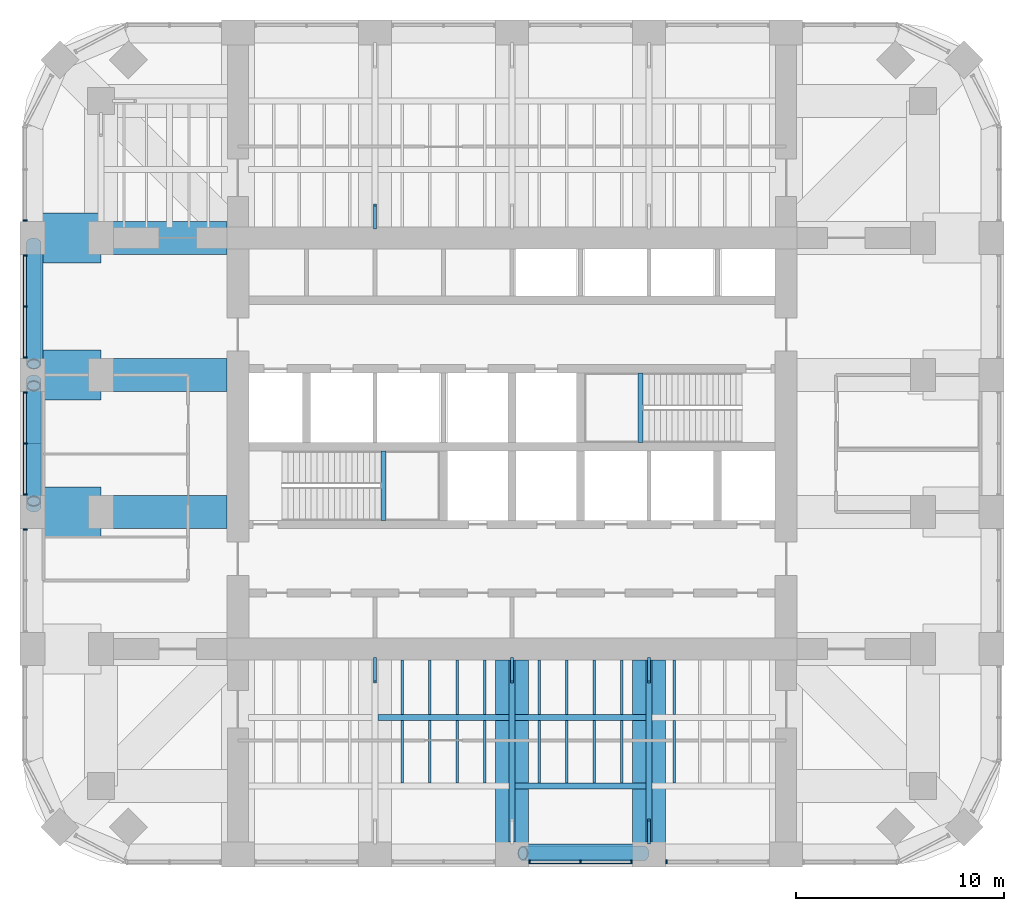
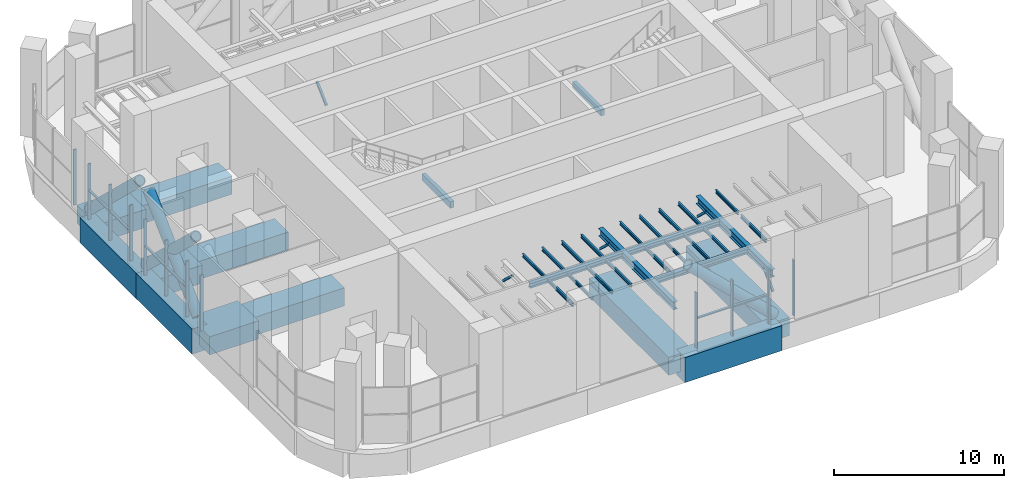
# One storey, part 3 of 15: 36 beams, 27 members, 6 elements without a shape of their own.
"""IFC4 building model written with IfcOpenShell, lengths in metres."""

from ifc_helpers import new_model, si_unit, direction, frame, origin, origin_2d, place, context, subcontext, project, spatial, rectangle, hollow_rectangle, hollow_circle, i_section, extrude, material, material_profile, profile_set, type_object, element, aggregate, save


model = new_model("IFC4")

# Units and contexts
model_context = context("Model", 3, precision=1e-05, world=origin(), true_north=direction((0.0, 1.0)))
body_context = subcontext(model_context, "Body", "Model", "MODEL_VIEW")
ifc_project = project(units=[si_unit("LENGTHUNIT", "METRE"), si_unit("AREAUNIT", "SQUARE_METRE"), si_unit("VOLUMEUNIT", "CUBIC_METRE"), si_unit("PLANEANGLEUNIT", "RADIAN"), si_unit("MASSUNIT", "GRAM", prefix="KILO")], contexts=[model_context])

# Site, building, storey
site_placement = place(None, origin())
site = spatial("IfcSite", under=ifc_project, at=site_placement, CompositionType="ELEMENT")
building_placement = place(site_placement, origin())
building = spatial("IfcBuilding", under=site, at=building_placement, Name="Cobogo Forest Laboratory Tower", CompositionType="ELEMENT")
storey_placement = place(building_placement, frame((0.0, 0.0, 222.89990234375)))
storey = spatial("IfcBuildingStorey", under=building, at=storey_placement, Name="L51", CompositionType="ELEMENT", Elevation=222.89990234375)

# Members
ifc_material_1 = material(Name="Steel S460NH", Category="steel")
ifc_material_profile_1 = material_profile(ifc_material_1, hollow_circle(Radius=0.35546875, WallThickness=0.06005859375, at=origin_2d()), Name="CHS 711x60")
ifc_profile_set_1 = profile_set([ifc_material_profile_1], Name="Steel S460NH")
member_type_1 = type_object("IfcMemberType", Name="Belt truss diagonal CHS 711x60", PredefinedType="BRACE", material=ifc_profile_set_1)
for number, where, z_axis, x_axis, name in (
    (1, (32.75, 3.360107421875, 0.23876953125), (-0.723363796511, 0.0, 0.690467101242), (0.0, -1.0, 0.0), "BT1 belt truss diagonal S03 L51"),
    (2, (3.360107421875, 20.050048828125, 0.23876953125), (0.0, 0.723349354665, 0.69048223084), (-1.0, 0.0, 0.0), "BT1 belt truss diagonal W14 L51"),
    (3, (3.360107421875, 26.14990234375, 0.23876953125), (0.0, -0.723349354665, 0.69048223084), (1.0, 0.0, 0.0), "BT1 belt truss diagonal W15 L51"),
    (4, (3.360107421875, 32.75, 0.23876953125), (0.0, -0.723363796511, 0.690467101242), (1.0, 0.0, 0.0), "BT1 belt truss diagonal W16 L51"),
):
    element("IfcMember", number, at=place(storey_placement, frame(where, z_axis=z_axis, x_axis=x_axis)), inside=storey, type_object=member_type_1, Name=name, PredefinedType="BRACE", context=body_context, shape_type="SweptSolid", body=[
        extrude(hollow_circle(Radius=0.35546875, WallThickness=0.06005859375, at=origin_2d()), origin(), (0.0, 0.0, 1.0), 8.0595703125),
    ])

# Beams
ifc_material_2 = material(Name="Concrete HA-40 (C40/50)", Category="concrete")
ifc_material_profile_2 = material_profile(ifc_material_2, rectangle(XDim=0.25, YDim=0.449951171875, at=origin_2d()), Name="RC 250x450")
ifc_profile_set_2 = profile_set([ifc_material_profile_2], Name="Concrete HA-40 (C40/50)")
beam_type_1 = type_object("IfcBeamType", Name="LB1 landing beam 250x450", PredefinedType="BEAM", material=ifc_profile_set_2)
for number, where, z_axis, x_axis, name in (
    (5, (20.2099609375, 19.39990234375, 2.72509765625), (0.0, 1.0, 0.0), (-1.0, 0.0, 0.0), "Landing beam ST1 L51"),
    (6, (32.590087890625, 23.14990234375, 2.72509765625), (0.0, 1.0, 0.0), (-1.0, 0.0, 0.0), "Landing beam ST2 L51"),
):
    element("IfcBeam", number, at=place(storey_placement, frame(where, z_axis=z_axis, x_axis=x_axis)), inside=storey, type_object=beam_type_1, Name=name, PredefinedType="BEAM", context=body_context, shape_type="SweptSolid", body=[
        extrude(rectangle(XDim=0.25, YDim=0.449951171875, at=origin_2d()), origin(), (0.0, 0.0, 1.0), 3.35009765625),
    ])

# Curtain wall, members
ifc_material_3 = material(Name="Aluminium curtain wall", Category="aluminium")
curtain_wall_type = type_object("IfcCurtainWallType", Name="CW-P louvred curtain wall, plant floors", PredefinedType="USERDEFINED", material=ifc_material_3)
curtain_wall_1_placement = place(storey_placement, origin())
curtain_wall_1 = element("IfcCurtainWall", 7, at=curtain_wall_1_placement, inside=storey, type_object=curtain_wall_type, Name="Curtain wall 04 L51", ObjectType="LOUVRED CURTAIN WALL", PredefinedType="USERDEFINED")
ifc_material_4 = material(Name="Aluminium mullion", Category="aluminium")
ifc_material_profile_3 = material_profile(ifc_material_4, rectangle(XDim=0.080078125, YDim=0.199951171875, at=origin_2d()), Name="AL 80x200")
ifc_profile_set_3 = profile_set([ifc_material_profile_3], Name="Aluminium mullion")
member_type_2 = type_object("IfcMemberType", Name="MU-3 aluminium louvre mullion 80x200", PredefinedType="MULLION", material=ifc_profile_set_3)
member_1_placement = place(storey_placement, frame((27.239990234375, 2.949951171875, 0.0), z_axis=(0.0, 0.0, 1.0), x_axis=(1.0, 0.0, 0.0)))
member_1 = element("IfcMember", 8, at=member_1_placement, type_object=member_type_2, Name="CW-P mullion 1", PredefinedType="MULLION", context=body_context, shape_type="SweptSolid", body=[
    extrude(rectangle(XDim=0.080078125, YDim=0.199951171875, at=origin_2d()), origin(), (0.0, 0.0, 1.0), 4.0),
])
member_2_placement = place(storey_placement, frame((29.699951171875, 2.949951171875, 0.0), z_axis=(0.0, 0.0, 1.0), x_axis=(1.0, 0.0, 0.0)))
member_2 = element("IfcMember", 9, at=member_2_placement, type_object=member_type_2, Name="CW-P mullion 2", PredefinedType="MULLION", context=body_context, shape_type="SweptSolid", body=[
    extrude(rectangle(XDim=0.080078125, YDim=0.199951171875, at=origin_2d()), origin(), (0.0, 0.0, 1.0), 4.0),
])
member_3_placement = place(storey_placement, frame((32.159912109375, 2.949951171875, 0.0), z_axis=(0.0, 0.0, 1.0), x_axis=(1.0, 0.0, 0.0)))
member_3 = element("IfcMember", 10, at=member_3_placement, type_object=member_type_2, Name="CW-P mullion 3", PredefinedType="MULLION", context=body_context, shape_type="SweptSolid", body=[
    extrude(rectangle(XDim=0.080078125, YDim=0.199951171875, at=origin_2d()), origin(), (0.0, 0.0, 1.0), 4.0),
])

# Curtain wall, member
curtain_wall_2_placement = place(storey_placement, origin())
curtain_wall_2 = element("IfcCurtainWall", 11, at=curtain_wall_2_placement, inside=storey, type_object=curtain_wall_type, Name="Curtain wall 05 L51", ObjectType="LOUVRED CURTAIN WALL", PredefinedType="USERDEFINED")
member_4_placement = place(storey_placement, frame((33.840087890625, 2.949951171875, 0.0), z_axis=(0.0, 0.0, 1.0), x_axis=(1.0, 0.0, 0.0)))
member_4 = element("IfcMember", 12, at=member_4_placement, type_object=member_type_2, Name="CW-P mullion 1", PredefinedType="MULLION", context=body_context, shape_type="SweptSolid", body=[
    extrude(rectangle(XDim=0.080078125, YDim=0.199951171875, at=origin_2d()), origin(), (0.0, 0.0, 1.0), 4.0),
])
aggregate(curtain_wall_2, [member_4])

curtain_wall_3_placement = place(storey_placement, origin())
curtain_wall_3 = element("IfcCurtainWall", 13, at=curtain_wall_3_placement, inside=storey, type_object=curtain_wall_type, Name="Curtain wall 24 L51", ObjectType="LOUVRED CURTAIN WALL", PredefinedType="USERDEFINED")
member_5_placement = place(storey_placement, frame((2.949951171875, 33.840087890625, 0.0), z_axis=(0.0, 0.0, 1.0), x_axis=(0.0, -1.0, 0.0)))
member_5 = element("IfcMember", 14, at=member_5_placement, type_object=member_type_2, Name="CW-P mullion 3", PredefinedType="MULLION", context=body_context, shape_type="SweptSolid", body=[
    extrude(rectangle(XDim=0.080078125, YDim=0.199951171875, at=origin_2d()), origin(), (0.0, 0.0, 1.0), 4.0),
])
aggregate(curtain_wall_3, [member_5])

# Curtain wall, members
curtain_wall_4_placement = place(storey_placement, origin())
curtain_wall_4 = element("IfcCurtainWall", 15, at=curtain_wall_4_placement, inside=storey, type_object=curtain_wall_type, Name="Curtain wall 25 L51", ObjectType="LOUVRED CURTAIN WALL", PredefinedType="USERDEFINED")
member_6_placement = place(storey_placement, frame((2.949951171875, 32.159912109375, 0.0), z_axis=(0.0, 0.0, 1.0), x_axis=(0.0, -1.0, 0.0)))
member_6 = element("IfcMember", 16, at=member_6_placement, type_object=member_type_2, Name="CW-P mullion 1", PredefinedType="MULLION", context=body_context, shape_type="SweptSolid", body=[
    extrude(rectangle(XDim=0.080078125, YDim=0.199951171875, at=origin_2d()), origin(), (0.0, 0.0, 1.0), 4.0),
])
member_7_placement = place(storey_placement, frame((2.949951171875, 29.699951171875, 0.0), z_axis=(0.0, 0.0, 1.0), x_axis=(0.0, -1.0, 0.0)))
member_7 = element("IfcMember", 17, at=member_7_placement, type_object=member_type_2, Name="CW-P mullion 2", PredefinedType="MULLION", context=body_context, shape_type="SweptSolid", body=[
    extrude(rectangle(XDim=0.080078125, YDim=0.199951171875, at=origin_2d()), origin(), (0.0, 0.0, 1.0), 4.0),
])
member_8_placement = place(storey_placement, frame((2.949951171875, 27.239990234375, 0.0), z_axis=(0.0, 0.0, 1.0), x_axis=(0.0, -1.0, 0.0)))
member_8 = element("IfcMember", 18, at=member_8_placement, type_object=member_type_2, Name="CW-P mullion 3", PredefinedType="MULLION", context=body_context, shape_type="SweptSolid", body=[
    extrude(rectangle(XDim=0.080078125, YDim=0.199951171875, at=origin_2d()), origin(), (0.0, 0.0, 1.0), 4.0),
])

curtain_wall_5_placement = place(storey_placement, origin())
curtain_wall_5 = element("IfcCurtainWall", 19, at=curtain_wall_5_placement, inside=storey, type_object=curtain_wall_type, Name="Curtain wall 26 L51", ObjectType="LOUVRED CURTAIN WALL", PredefinedType="USERDEFINED")
member_9_placement = place(storey_placement, frame((2.949951171875, 25.56005859375, 0.0), z_axis=(0.0, 0.0, 1.0), x_axis=(0.0, -1.0, 0.0)))
member_9 = element("IfcMember", 20, at=member_9_placement, type_object=member_type_2, Name="CW-P mullion 1", PredefinedType="MULLION", context=body_context, shape_type="SweptSolid", body=[
    extrude(rectangle(XDim=0.080078125, YDim=0.199951171875, at=origin_2d()), origin(), (0.0, 0.0, 1.0), 4.0),
])
member_10_placement = place(storey_placement, frame((2.949951171875, 23.10009765625, 0.0), z_axis=(0.0, 0.0, 1.0), x_axis=(0.0, -1.0, 0.0)))
member_10 = element("IfcMember", 21, at=member_10_placement, type_object=member_type_2, Name="CW-P mullion 2", PredefinedType="MULLION", context=body_context, shape_type="SweptSolid", body=[
    extrude(rectangle(XDim=0.080078125, YDim=0.199951171875, at=origin_2d()), origin(), (0.0, 0.0, 1.0), 4.0),
])
member_11_placement = place(storey_placement, frame((2.949951171875, 20.639892578125, 0.0), z_axis=(0.0, 0.0, 1.0), x_axis=(0.0, -1.0, 0.0)))
member_11 = element("IfcMember", 22, at=member_11_placement, type_object=member_type_2, Name="CW-P mullion 3", PredefinedType="MULLION", context=body_context, shape_type="SweptSolid", body=[
    extrude(rectangle(XDim=0.080078125, YDim=0.199951171875, at=origin_2d()), origin(), (0.0, 0.0, 1.0), 4.0),
])

# Curtain wall, member
curtain_wall_6_placement = place(storey_placement, origin())
curtain_wall_6 = element("IfcCurtainWall", 23, at=curtain_wall_6_placement, inside=storey, type_object=curtain_wall_type, Name="Curtain wall 27 L51", ObjectType="LOUVRED CURTAIN WALL", PredefinedType="USERDEFINED")
member_12_placement = place(storey_placement, frame((2.949951171875, 18.9599609375, 0.0), z_axis=(0.0, 0.0, 1.0), x_axis=(0.0, -1.0, 0.0)))
member_12 = element("IfcMember", 24, at=member_12_placement, type_object=member_type_2, Name="CW-P mullion 1", PredefinedType="MULLION", context=body_context, shape_type="SweptSolid", body=[
    extrude(rectangle(XDim=0.080078125, YDim=0.199951171875, at=origin_2d()), origin(), (0.0, 0.0, 1.0), 4.0),
])
aggregate(curtain_wall_6, [member_12])

# Beams
ifc_material_profile_4 = material_profile(ifc_material_2, rectangle(XDim=1.60009765625, YDim=1.300048828125, at=origin_2d()), Name="RC 1600x1300")
ifc_profile_set_4 = profile_set([ifc_material_profile_4], Name="Concrete HA-40 (C40/50)")
beam_type_2 = type_object("IfcBeamType", Name="Plant and roof garden wide beam 1600x1300", PredefinedType="BEAM", material=ifc_profile_set_4)
for number, where, z_axis, x_axis, name in (
    (25, (26.39990234375, 12.675048828125, -1.0), (0.0, -1.0, 0.0), (1.0, 0.0, 0.0), "RB4 R-5-S L51"),
    (26, (33.0, 12.675048828125, -1.0), (0.0, -1.0, 0.0), (1.0, 0.0, 0.0), "RB4 R-6-S L51"),
):
    element("IfcBeam", number, at=place(storey_placement, frame(where, z_axis=z_axis, x_axis=x_axis)), inside=storey, type_object=beam_type_2, Name=name, PredefinedType="BEAM", context=body_context, shape_type="SweptSolid", body=[
        extrude(rectangle(XDim=1.60009765625, YDim=1.300048828125, at=origin_2d()), origin(), (0.0, 0.0, 1.0), 9.375),
    ])
for number, where, z_axis, x_axis, name in (
    (27, (12.675048828125, 19.800048828125, -1.0), (-1.0, 0.0, 0.0), (0.0, -1.0, 0.0), "RB4 R-D-W L51"),
    (28, (12.675048828125, 26.39990234375, -1.0), (-1.0, 0.0, 0.0), (0.0, -1.0, 0.0), "RB4 R-E-W L51"),
    (29, (12.675048828125, 33.0, -1.0), (-1.0, 0.0, 0.0), (0.0, -1.0, 0.0), "RB4 R-F-W L51"),
):
    element("IfcBeam", number, at=place(storey_placement, frame(where, z_axis=z_axis, x_axis=x_axis)), inside=storey, type_object=beam_type_2, Name=name, PredefinedType="BEAM", context=body_context, shape_type="SweptSolid", body=[
        extrude(rectangle(XDim=1.60009765625, YDim=1.300048828125, at=origin_2d()), origin(), (0.0, 0.0, 1.0), 6.074951171875),
    ])
ifc_material_5 = material(Name="Concrete HA-50 (C50/60)", Category="concrete")
ifc_material_profile_5 = material_profile(ifc_material_5, rectangle(XDim=2.39990234375, YDim=1.300048828125, at=origin_2d()), Name="RC 2400x1300")
ifc_profile_set_5 = profile_set([ifc_material_profile_5], Name="Concrete HA-50 (C50/60)")
beam_type_3 = type_object("IfcBeamType", Name="Plant floor end-bay beam 2400x1300", PredefinedType="BEAM", material=ifc_profile_set_5)
for number, where, z_axis, x_axis, name in (
    (30, (3.300048828125, 19.800048828125, -1.0), (1.0, 0.0, 0.0), (0.0, 1.0, 0.0), "RB6 R-D-W-X L51"),
    (31, (3.300048828125, 26.39990234375, -1.0), (1.0, 0.0, 0.0), (0.0, 1.0, 0.0), "RB6 R-E-W-X L51"),
    (32, (3.300048828125, 33.0, -1.0), (1.0, 0.0, 0.0), (0.0, 1.0, 0.0), "RB6 R-F-W-X L51"),
):
    element("IfcBeam", number, at=place(storey_placement, frame(where, z_axis=z_axis, x_axis=x_axis)), inside=storey, type_object=beam_type_3, Name=name, PredefinedType="BEAM", context=body_context, shape_type="SweptSolid", body=[
        extrude(rectangle(XDim=2.39990234375, YDim=1.300048828125, at=origin_2d()), origin(), (0.0, 0.0, 1.0), 3.300048828125),
    ])
ifc_material_profile_6 = material_profile(ifc_material_2, rectangle(XDim=1.0, YDim=1.800048828125, at=origin_2d()), Name="RC 1000x1800")
ifc_profile_set_6 = profile_set([ifc_material_profile_6], Name="Concrete HA-40 (C40/50)")
beam_type_4 = type_object("IfcBeamType", Name="Plant floor perimeter girder 1000x1800", PredefinedType="BEAM", material=ifc_profile_set_6)
beam_1_placement = place(storey_placement, frame((26.39990234375, 3.300048828125, -1.25), z_axis=(1.0, 0.0, 0.0), x_axis=(0.0, 1.0, 0.0)))
element("IfcBeam", 33, at=beam_1_placement, inside=storey, type_object=beam_type_4, Name="TG1 E-S3 L51", PredefinedType="BEAM", context=body_context, shape_type="SweptSolid", body=[
    extrude(rectangle(XDim=1.0, YDim=1.800048828125, at=origin_2d()), origin(), (0.0, 0.0, 1.0), 6.60009765625),
])
beam_2_placement = place(storey_placement, frame((3.300048828125, 19.800048828125, -1.25), z_axis=(0.0, 1.0, 0.0), x_axis=(-1.0, 0.0, 0.0)))
element("IfcBeam", 34, at=beam_2_placement, inside=storey, type_object=beam_type_4, Name="TG1 E-W2 L51", PredefinedType="BEAM", context=body_context, shape_type="SweptSolid", body=[
    extrude(rectangle(XDim=1.0, YDim=1.800048828125, at=origin_2d()), origin(), (0.0, 0.0, 1.0), 6.599853515625),
])
beam_3_placement = place(storey_placement, frame((3.300048828125, 26.39990234375, -1.25), z_axis=(0.0, 1.0, 0.0), x_axis=(-1.0, 0.0, 0.0)))
element("IfcBeam", 35, at=beam_3_placement, inside=storey, type_object=beam_type_4, Name="TG1 E-W3 L51", PredefinedType="BEAM", context=body_context, shape_type="SweptSolid", body=[
    extrude(rectangle(XDim=1.0, YDim=1.800048828125, at=origin_2d()), origin(), (0.0, 0.0, 1.0), 6.60009765625),
])

# Members
ifc_material_6 = material(Name="Steel S355", Category="steel")
ifc_material_profile_7 = material_profile(ifc_material_6, hollow_rectangle(XDim=0.14990234375, YDim=0.14990234375, WallThickness=0.008056640625, InnerFilletRadius=0.008056640625, OuterFilletRadius=0.011962890625, at=origin_2d()), Name="SHS 150x8")
ifc_profile_set_7 = profile_set([ifc_material_profile_7], Name="Steel S355")
member_type_3 = type_object("IfcMemberType", Name="Plant knee brace SHS 150x8", PredefinedType="BRACE", material=ifc_profile_set_7)
for number, where, z_axis, x_axis, name in (
    (36, (19.800048828125, 12.72802734375, 1.4501953125), (0.0, -0.725097922522, 0.688645774513), (1.0, 0.0, 0.0), "PX2 AHU-S knee brace 4-2 L51"),
    (37, (26.39990234375, 12.72802734375, 1.4501953125), (0.0, -0.725097922522, 0.688645774513), (1.0, 0.0, 0.0), "PX2 AHU-S knee brace 5-2 L51"),
):
    element("IfcMember", number, at=place(storey_placement, frame(where, z_axis=z_axis, x_axis=x_axis)), inside=storey, type_object=member_type_3, Name=name, PredefinedType="BRACE", context=body_context, shape_type="SweptSolid", body=[
        extrude(hollow_rectangle(XDim=0.14990234375, YDim=0.14990234375, WallThickness=0.008056640625, InnerFilletRadius=0.008056640625, OuterFilletRadius=0.011962890625, at=origin_2d()), origin(), (0.0, 0.0, 1.0), 1.547119140625),
    ])
member_13_placement = place(storey_placement, frame((33.0, 3.846923828125, 1.4501953125), z_axis=(0.0, 0.725172744362, 0.68856698355), x_axis=(-1.0, 0.0, 0.0)))
element("IfcMember", 38, at=member_13_placement, inside=storey, type_object=member_type_3, Name="PX2 AHU-S knee brace 6-1 L51", PredefinedType="BRACE", context=body_context, shape_type="SweptSolid", body=[
    extrude(hollow_rectangle(XDim=0.14990234375, YDim=0.14990234375, WallThickness=0.008056640625, InnerFilletRadius=0.008056640625, OuterFilletRadius=0.011962890625, at=origin_2d()), origin(), (0.0, 0.0, 1.0), 1.54736328125),
])
member_14_placement = place(storey_placement, frame((33.0, 12.72802734375, 1.4501953125), z_axis=(0.0, -0.725097922522, 0.688645774513), x_axis=(1.0, 0.0, 0.0)))
element("IfcMember", 39, at=member_14_placement, inside=storey, type_object=member_type_3, Name="PX2 AHU-S knee brace 6-2 L51", PredefinedType="BRACE", context=body_context, shape_type="SweptSolid", body=[
    extrude(hollow_rectangle(XDim=0.14990234375, YDim=0.14990234375, WallThickness=0.008056640625, InnerFilletRadius=0.008056640625, OuterFilletRadius=0.011962890625, at=origin_2d()), origin(), (0.0, 0.0, 1.0), 1.547119140625),
])
member_15_placement = place(storey_placement, frame((19.800048828125, 33.471923828125, 1.4501953125), z_axis=(0.0, 0.725172744362, 0.68856698355), x_axis=(-1.0, 0.0, 0.0)))
element("IfcMember", 40, at=member_15_placement, inside=storey, type_object=member_type_3, Name="PX2 AHU-N knee brace 4-2 L51", PredefinedType="BRACE", context=body_context, shape_type="SweptSolid", body=[
    extrude(hollow_rectangle(XDim=0.14990234375, YDim=0.14990234375, WallThickness=0.008056640625, InnerFilletRadius=0.008056640625, OuterFilletRadius=0.011962890625, at=origin_2d()), origin(), (0.0, 0.0, 1.0), 1.54736328125),
])

# Beams
ifc_material_profile_8 = material_profile(ifc_material_6, i_section(OverallWidth=0.300048828125, OverallDepth=0.35009765625, WebThickness=0.010009765625, FlangeThickness=0.017578125, FilletRadius=0.027099609375, at=origin_2d()), Name="HEA 360")
ifc_profile_set_8 = profile_set([ifc_material_profile_8], Name="Steel S355")
beam_type_5 = type_object("IfcBeamType", Name="Plant platform beam HEA 360", PredefinedType="BEAM", material=ifc_profile_set_8)
for number, where, z_axis, x_axis, name in (
    (41, (26.550048828125, 6.60009765625, 2.8251953125), (1.0, 0.0, 0.0), (0.0, 1.0, 0.0), "PB3 AHU-S platform beam 3 at 3300 L51"),
    (42, (19.949951171875, 9.89990234375, 2.8251953125), (1.0, 0.0, 0.0), (0.0, 1.0, 0.0), "PB3 AHU-S platform beam 2 at 6600 L51"),
    (43, (26.550048828125, 9.89990234375, 2.8251953125), (1.0, 0.0, 0.0), (0.0, 1.0, 0.0), "PB3 AHU-S platform beam 3 at 6600 L51"),
):
    element("IfcBeam", number, at=place(storey_placement, frame(where, z_axis=z_axis, x_axis=x_axis)), inside=storey, type_object=beam_type_5, Name=name, PredefinedType="BEAM", context=body_context, shape_type="SweptSolid", body=[
        extrude(i_section(OverallWidth=0.300048828125, OverallDepth=0.35009765625, WebThickness=0.010009765625, FlangeThickness=0.017578125, FilletRadius=0.027099609375, at=origin_2d()), origin(), (0.0, 0.0, 1.0), 6.300048828125),
    ])
ifc_material_profile_9 = material_profile(ifc_material_6, i_section(OverallWidth=0.300048828125, OverallDepth=0.550048828125, WebThickness=0.014892578125, FlangeThickness=0.029052734375, FilletRadius=0.027099609375, at=origin_2d()), Name="HEB 550")
ifc_profile_set_9 = profile_set([ifc_material_profile_9], Name="Steel S355")
beam_type_6 = type_object("IfcBeamType", Name="Plant platform girder HEB 550", PredefinedType="BEAM", material=ifc_profile_set_9)
for number, where, z_axis, x_axis, name in (
    (44, (26.39990234375, 3.89990234375, 2.72509765625), (0.0, 1.0, 0.0), (-1.0, 0.0, 0.0), "PG2 AHU-S girder 5 L51"),
    (45, (33.0, 3.89990234375, 2.72509765625), (0.0, 1.0, 0.0), (-1.0, 0.0, 0.0), "PG2 AHU-S girder 6 L51"),
):
    element("IfcBeam", number, at=place(storey_placement, frame(where, z_axis=z_axis, x_axis=x_axis)), inside=storey, type_object=beam_type_6, Name=name, PredefinedType="BEAM", context=body_context, shape_type="SweptSolid", body=[
        extrude(i_section(OverallWidth=0.300048828125, OverallDepth=0.550048828125, WebThickness=0.014892578125, FlangeThickness=0.029052734375, FilletRadius=0.027099609375, at=origin_2d()), origin(), (0.0, 0.0, 1.0), 8.775146484375),
    ])
ifc_material_profile_10 = material_profile(ifc_material_6, i_section(OverallWidth=0.1201171875, OverallDepth=0.239990234375, WebThickness=0.006103515625, FlangeThickness=0.009765625, FilletRadius=0.014892578125, at=origin_2d()), Name="IPE 240")
ifc_profile_set_10 = profile_set([ifc_material_profile_10], Name="Steel S355")
beam_type_7 = type_object("IfcBeamType", Name="Plant platform joist IPE 240", PredefinedType="JOIST", material=ifc_profile_set_10)
beam_4_placement = place(storey_placement, frame((21.1201171875, 6.75, 2.880126953125), z_axis=(0.0, 1.0, 0.0), x_axis=(-1.0, 0.0, 0.0)))
element("IfcBeam", 46, at=beam_4_placement, inside=storey, type_object=beam_type_7, Name="PJ1 AHU-S joist 2.1 row 1 L51", PredefinedType="JOIST", context=body_context, shape_type="SweptSolid", body=[
    extrude(i_section(OverallWidth=0.1201171875, OverallDepth=0.239990234375, WebThickness=0.006103515625, FlangeThickness=0.009765625, FilletRadius=0.014892578125, at=origin_2d()), origin(), (0.0, 0.0, 1.0), 3.0),
])
beam_5_placement = place(storey_placement, frame((21.1201171875, 10.050048828125, 2.880126953125), z_axis=(0.0, 1.0, 0.0), x_axis=(-1.0, 0.0, 0.0)))
element("IfcBeam", 47, at=beam_5_placement, inside=storey, type_object=beam_type_7, Name="PJ1 AHU-S joist 2.1 row 2 L51", PredefinedType="JOIST", context=body_context, shape_type="SweptSolid", body=[
    extrude(i_section(OverallWidth=0.1201171875, OverallDepth=0.239990234375, WebThickness=0.006103515625, FlangeThickness=0.009765625, FilletRadius=0.014892578125, at=origin_2d()), origin(), (0.0, 0.0, 1.0), 2.625),
])
beam_6_placement = place(storey_placement, frame((22.43994140625, 6.75, 2.880126953125), z_axis=(0.0, 1.0, 0.0), x_axis=(-1.0, 0.0, 0.0)))
element("IfcBeam", 48, at=beam_6_placement, inside=storey, type_object=beam_type_7, Name="PJ1 AHU-S joist 2.2 row 1 L51", PredefinedType="JOIST", context=body_context, shape_type="SweptSolid", body=[
    extrude(i_section(OverallWidth=0.1201171875, OverallDepth=0.239990234375, WebThickness=0.006103515625, FlangeThickness=0.009765625, FilletRadius=0.014892578125, at=origin_2d()), origin(), (0.0, 0.0, 1.0), 3.0),
])
beam_7_placement = place(storey_placement, frame((22.43994140625, 10.050048828125, 2.880126953125), z_axis=(0.0, 1.0, 0.0), x_axis=(-1.0, 0.0, 0.0)))
element("IfcBeam", 49, at=beam_7_placement, inside=storey, type_object=beam_type_7, Name="PJ1 AHU-S joist 2.2 row 2 L51", PredefinedType="JOIST", context=body_context, shape_type="SweptSolid", body=[
    extrude(i_section(OverallWidth=0.1201171875, OverallDepth=0.239990234375, WebThickness=0.006103515625, FlangeThickness=0.009765625, FilletRadius=0.014892578125, at=origin_2d()), origin(), (0.0, 0.0, 1.0), 2.625),
])
beam_8_placement = place(storey_placement, frame((23.760009765625, 6.75, 2.880126953125), z_axis=(0.0, 1.0, 0.0), x_axis=(-1.0, 0.0, 0.0)))
element("IfcBeam", 50, at=beam_8_placement, inside=storey, type_object=beam_type_7, Name="PJ1 AHU-S joist 2.3 row 1 L51", PredefinedType="JOIST", context=body_context, shape_type="SweptSolid", body=[
    extrude(i_section(OverallWidth=0.1201171875, OverallDepth=0.239990234375, WebThickness=0.006103515625, FlangeThickness=0.009765625, FilletRadius=0.014892578125, at=origin_2d()), origin(), (0.0, 0.0, 1.0), 3.0),
])
beam_9_placement = place(storey_placement, frame((23.760009765625, 10.050048828125, 2.880126953125), z_axis=(0.0, 1.0, 0.0), x_axis=(-1.0, 0.0, 0.0)))
element("IfcBeam", 51, at=beam_9_placement, inside=storey, type_object=beam_type_7, Name="PJ1 AHU-S joist 2.3 row 2 L51", PredefinedType="JOIST", context=body_context, shape_type="SweptSolid", body=[
    extrude(i_section(OverallWidth=0.1201171875, OverallDepth=0.239990234375, WebThickness=0.006103515625, FlangeThickness=0.009765625, FilletRadius=0.014892578125, at=origin_2d()), origin(), (0.0, 0.0, 1.0), 2.625),
])
beam_10_placement = place(storey_placement, frame((25.080078125, 6.75, 2.880126953125), z_axis=(0.0, 1.0, 0.0), x_axis=(-1.0, 0.0, 0.0)))
element("IfcBeam", 52, at=beam_10_placement, inside=storey, type_object=beam_type_7, Name="PJ1 AHU-S joist 2.4 row 1 L51", PredefinedType="JOIST", context=body_context, shape_type="SweptSolid", body=[
    extrude(i_section(OverallWidth=0.1201171875, OverallDepth=0.239990234375, WebThickness=0.006103515625, FlangeThickness=0.009765625, FilletRadius=0.014892578125, at=origin_2d()), origin(), (0.0, 0.0, 1.0), 3.0),
])
beam_11_placement = place(storey_placement, frame((25.080078125, 10.050048828125, 2.880126953125), z_axis=(0.0, 1.0, 0.0), x_axis=(-1.0, 0.0, 0.0)))
element("IfcBeam", 53, at=beam_11_placement, inside=storey, type_object=beam_type_7, Name="PJ1 AHU-S joist 2.4 row 2 L51", PredefinedType="JOIST", context=body_context, shape_type="SweptSolid", body=[
    extrude(i_section(OverallWidth=0.1201171875, OverallDepth=0.239990234375, WebThickness=0.006103515625, FlangeThickness=0.009765625, FilletRadius=0.014892578125, at=origin_2d()), origin(), (0.0, 0.0, 1.0), 2.625),
])
beam_12_placement = place(storey_placement, frame((27.719970703125, 6.75, 2.880126953125), z_axis=(0.0, 1.0, 0.0), x_axis=(-1.0, 0.0, 0.0)))
element("IfcBeam", 54, at=beam_12_placement, inside=storey, type_object=beam_type_7, Name="PJ1 AHU-S joist 3.1 row 1 L51", PredefinedType="JOIST", context=body_context, shape_type="SweptSolid", body=[
    extrude(i_section(OverallWidth=0.1201171875, OverallDepth=0.239990234375, WebThickness=0.006103515625, FlangeThickness=0.009765625, FilletRadius=0.014892578125, at=origin_2d()), origin(), (0.0, 0.0, 1.0), 3.0),
])
beam_13_placement = place(storey_placement, frame((27.719970703125, 10.050048828125, 2.880126953125), z_axis=(0.0, 1.0, 0.0), x_axis=(-1.0, 0.0, 0.0)))
element("IfcBeam", 55, at=beam_13_placement, inside=storey, type_object=beam_type_7, Name="PJ1 AHU-S joist 3.1 row 2 L51", PredefinedType="JOIST", context=body_context, shape_type="SweptSolid", body=[
    extrude(i_section(OverallWidth=0.1201171875, OverallDepth=0.239990234375, WebThickness=0.006103515625, FlangeThickness=0.009765625, FilletRadius=0.014892578125, at=origin_2d()), origin(), (0.0, 0.0, 1.0), 2.625),
])
beam_14_placement = place(storey_placement, frame((29.0400390625, 6.75, 2.880126953125), z_axis=(0.0, 1.0, 0.0), x_axis=(-1.0, 0.0, 0.0)))
element("IfcBeam", 56, at=beam_14_placement, inside=storey, type_object=beam_type_7, Name="PJ1 AHU-S joist 3.2 row 1 L51", PredefinedType="JOIST", context=body_context, shape_type="SweptSolid", body=[
    extrude(i_section(OverallWidth=0.1201171875, OverallDepth=0.239990234375, WebThickness=0.006103515625, FlangeThickness=0.009765625, FilletRadius=0.014892578125, at=origin_2d()), origin(), (0.0, 0.0, 1.0), 3.0),
])
beam_15_placement = place(storey_placement, frame((29.0400390625, 10.050048828125, 2.880126953125), z_axis=(0.0, 1.0, 0.0), x_axis=(-1.0, 0.0, 0.0)))
element("IfcBeam", 57, at=beam_15_placement, inside=storey, type_object=beam_type_7, Name="PJ1 AHU-S joist 3.2 row 2 L51", PredefinedType="JOIST", context=body_context, shape_type="SweptSolid", body=[
    extrude(i_section(OverallWidth=0.1201171875, OverallDepth=0.239990234375, WebThickness=0.006103515625, FlangeThickness=0.009765625, FilletRadius=0.014892578125, at=origin_2d()), origin(), (0.0, 0.0, 1.0), 2.625),
])
beam_16_placement = place(storey_placement, frame((30.360107421875, 6.75, 2.880126953125), z_axis=(0.0, 1.0, 0.0), x_axis=(-1.0, 0.0, 0.0)))
element("IfcBeam", 58, at=beam_16_placement, inside=storey, type_object=beam_type_7, Name="PJ1 AHU-S joist 3.3 row 1 L51", PredefinedType="JOIST", context=body_context, shape_type="SweptSolid", body=[
    extrude(i_section(OverallWidth=0.1201171875, OverallDepth=0.239990234375, WebThickness=0.006103515625, FlangeThickness=0.009765625, FilletRadius=0.014892578125, at=origin_2d()), origin(), (0.0, 0.0, 1.0), 3.0),
])
beam_17_placement = place(storey_placement, frame((30.360107421875, 10.050048828125, 2.880126953125), z_axis=(0.0, 1.0, 0.0), x_axis=(-1.0, 0.0, 0.0)))
element("IfcBeam", 59, at=beam_17_placement, inside=storey, type_object=beam_type_7, Name="PJ1 AHU-S joist 3.3 row 2 L51", PredefinedType="JOIST", context=body_context, shape_type="SweptSolid", body=[
    extrude(i_section(OverallWidth=0.1201171875, OverallDepth=0.239990234375, WebThickness=0.006103515625, FlangeThickness=0.009765625, FilletRadius=0.014892578125, at=origin_2d()), origin(), (0.0, 0.0, 1.0), 2.625),
])
beam_18_placement = place(storey_placement, frame((31.679931640625, 6.75, 2.880126953125), z_axis=(0.0, 1.0, 0.0), x_axis=(-1.0, 0.0, 0.0)))
element("IfcBeam", 60, at=beam_18_placement, inside=storey, type_object=beam_type_7, Name="PJ1 AHU-S joist 3.4 row 1 L51", PredefinedType="JOIST", context=body_context, shape_type="SweptSolid", body=[
    extrude(i_section(OverallWidth=0.1201171875, OverallDepth=0.239990234375, WebThickness=0.006103515625, FlangeThickness=0.009765625, FilletRadius=0.014892578125, at=origin_2d()), origin(), (0.0, 0.0, 1.0), 3.0),
])
beam_19_placement = place(storey_placement, frame((31.679931640625, 10.050048828125, 2.880126953125), z_axis=(0.0, 1.0, 0.0), x_axis=(-1.0, 0.0, 0.0)))
element("IfcBeam", 61, at=beam_19_placement, inside=storey, type_object=beam_type_7, Name="PJ1 AHU-S joist 3.4 row 2 L51", PredefinedType="JOIST", context=body_context, shape_type="SweptSolid", body=[
    extrude(i_section(OverallWidth=0.1201171875, OverallDepth=0.239990234375, WebThickness=0.006103515625, FlangeThickness=0.009765625, FilletRadius=0.014892578125, at=origin_2d()), origin(), (0.0, 0.0, 1.0), 2.625),
])
beam_20_placement = place(storey_placement, frame((34.219970703125, 6.75, 2.880126953125), z_axis=(0.0, 1.0, 0.0), x_axis=(-1.0, 0.0, 0.0)))
element("IfcBeam", 62, at=beam_20_placement, inside=storey, type_object=beam_type_7, Name="PJ1 AHU-S joist 4.1 row 1 L51", PredefinedType="JOIST", context=body_context, shape_type="SweptSolid", body=[
    extrude(i_section(OverallWidth=0.1201171875, OverallDepth=0.239990234375, WebThickness=0.006103515625, FlangeThickness=0.009765625, FilletRadius=0.014892578125, at=origin_2d()), origin(), (0.0, 0.0, 1.0), 3.0),
])
beam_21_placement = place(storey_placement, frame((34.219970703125, 10.050048828125, 2.880126953125), z_axis=(0.0, 1.0, 0.0), x_axis=(-1.0, 0.0, 0.0)))
element("IfcBeam", 63, at=beam_21_placement, inside=storey, type_object=beam_type_7, Name="PJ1 AHU-S joist 4.1 row 2 L51", PredefinedType="JOIST", context=body_context, shape_type="SweptSolid", body=[
    extrude(i_section(OverallWidth=0.1201171875, OverallDepth=0.239990234375, WebThickness=0.006103515625, FlangeThickness=0.009765625, FilletRadius=0.014892578125, at=origin_2d()), origin(), (0.0, 0.0, 1.0), 2.625),
])

# Member
ifc_material_7 = material(Name="Aluminium transom", Category="aluminium")
ifc_material_profile_11 = material_profile(ifc_material_7, rectangle(XDim=0.14990234375, YDim=0.080078125, at=origin_2d()), Name="AL 80x150")
ifc_profile_set_11 = profile_set([ifc_material_profile_11], Name="Aluminium transom")
member_type_4 = type_object("IfcMemberType", Name="TR-2 aluminium louvre transom 80x150", PredefinedType="USERDEFINED", material=ifc_profile_set_11)
member_16_placement = place(storey_placement, frame((27.280029296875, 2.949951171875, 2.10009765625), z_axis=(1.0, 0.0, 0.0), x_axis=(0.0, 1.0, 0.0)))
member_16 = element("IfcMember", 64, at=member_16_placement, type_object=member_type_4, Name="CW-P transom 1.1", ObjectType="TRANSOM", PredefinedType="USERDEFINED", context=body_context, shape_type="SweptSolid", body=[
    extrude(rectangle(XDim=0.14990234375, YDim=0.080078125, at=origin_2d()), origin(), (0.0, 0.0, 1.0), 2.3798828125),
])

member_17_placement = place(storey_placement, frame((29.739990234375, 2.949951171875, 2.10009765625), z_axis=(1.0, 0.0, 0.0), x_axis=(0.0, 1.0, 0.0)))
member_17 = element("IfcMember", 65, at=member_17_placement, type_object=member_type_4, Name="CW-P transom 2.1", ObjectType="TRANSOM", PredefinedType="USERDEFINED", context=body_context, shape_type="SweptSolid", body=[
    extrude(rectangle(XDim=0.14990234375, YDim=0.080078125, at=origin_2d()), origin(), (0.0, 0.0, 1.0), 2.380126953125),
])

aggregate(curtain_wall_1, [member_1, member_2, member_3, member_16, member_17])

member_18_placement = place(storey_placement, frame((2.949951171875, 32.1201171875, 2.10009765625), z_axis=(0.0, -1.0, 0.0), x_axis=(1.0, 0.0, 0.0)))
member_18 = element("IfcMember", 66, at=member_18_placement, type_object=member_type_4, Name="CW-P transom 1.1", ObjectType="TRANSOM", PredefinedType="USERDEFINED", context=body_context, shape_type="SweptSolid", body=[
    extrude(rectangle(XDim=0.14990234375, YDim=0.080078125, at=origin_2d()), origin(), (0.0, 0.0, 1.0), 2.380126953125),
])

member_19_placement = place(storey_placement, frame((2.949951171875, 29.659912109375, 2.10009765625), z_axis=(0.0, -1.0, 0.0), x_axis=(1.0, 0.0, 0.0)))
member_19 = element("IfcMember", 67, at=member_19_placement, type_object=member_type_4, Name="CW-P transom 2.1", ObjectType="TRANSOM", PredefinedType="USERDEFINED", context=body_context, shape_type="SweptSolid", body=[
    extrude(rectangle(XDim=0.14990234375, YDim=0.080078125, at=origin_2d()), origin(), (0.0, 0.0, 1.0), 2.3798828125),
])

aggregate(curtain_wall_4, [member_6, member_7, member_8, member_18, member_19])

member_20_placement = place(storey_placement, frame((2.949951171875, 25.52001953125, 2.10009765625), z_axis=(0.0, -1.0, 0.0), x_axis=(1.0, 0.0, 0.0)))
member_20 = element("IfcMember", 68, at=member_20_placement, type_object=member_type_4, Name="CW-P transom 1.1", ObjectType="TRANSOM", PredefinedType="USERDEFINED", context=body_context, shape_type="SweptSolid", body=[
    extrude(rectangle(XDim=0.14990234375, YDim=0.080078125, at=origin_2d()), origin(), (0.0, 0.0, 1.0), 2.380126953125),
])

member_21_placement = place(storey_placement, frame((2.949951171875, 23.06005859375, 2.10009765625), z_axis=(0.0, -1.0, 0.0), x_axis=(1.0, 0.0, 0.0)))
member_21 = element("IfcMember", 69, at=member_21_placement, type_object=member_type_4, Name="CW-P transom 2.1", ObjectType="TRANSOM", PredefinedType="USERDEFINED", context=body_context, shape_type="SweptSolid", body=[
    extrude(rectangle(XDim=0.14990234375, YDim=0.080078125, at=origin_2d()), origin(), (0.0, 0.0, 1.0), 2.380126953125),
])

aggregate(curtain_wall_5, [member_9, member_10, member_11, member_20, member_21])

save(model, "model.ifc")
